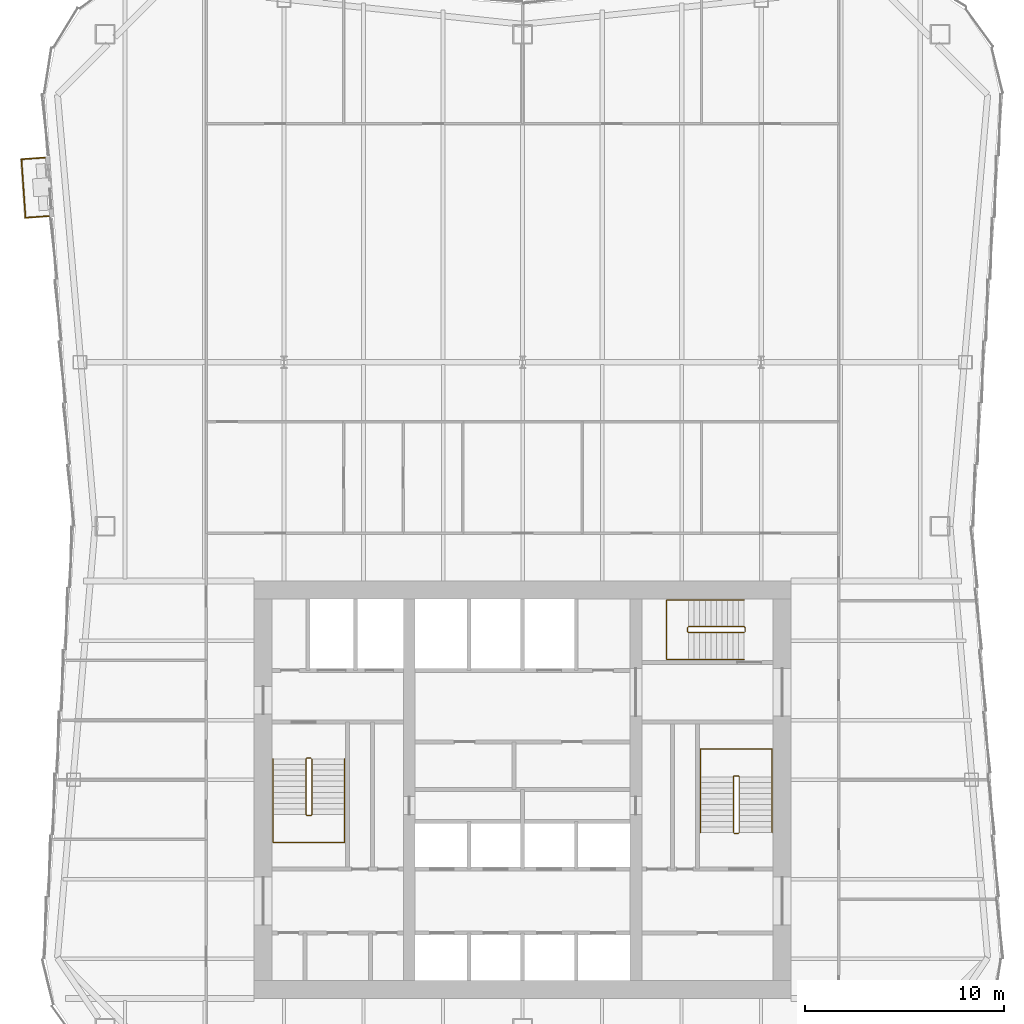
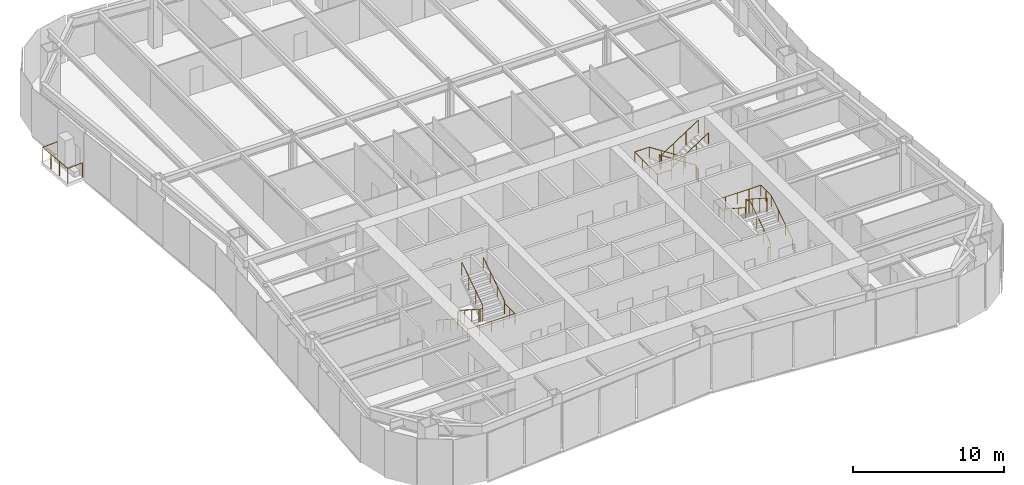
# One storey, part 9 of 10: 7 railings.
"""IFC4 building model written with IfcOpenShell, lengths in metres."""

from ifc_helpers import new_model, si_unit, direction, frame, origin, origin_2d, place, context, subcontext, project, spatial, circle, extrude, material, type_object, element, save


model = new_model("IFC4")

# Units and contexts
model_context = context("Model", 3, precision=1e-05, world=origin(), true_north=direction((0.0, 1.0)))
body_context = subcontext(model_context, "Body", "Model", "MODEL_VIEW")
ifc_project = project(units=[si_unit("LENGTHUNIT", "METRE"), si_unit("AREAUNIT", "SQUARE_METRE"), si_unit("VOLUMEUNIT", "CUBIC_METRE"), si_unit("PLANEANGLEUNIT", "RADIAN"), si_unit("MASSUNIT", "GRAM", prefix="KILO")], contexts=[model_context])

# Site, building, storey
site_placement = place(None, origin())
site = spatial("IfcSite", under=ifc_project, at=site_placement, CompositionType="ELEMENT")
building_placement = place(site_placement, origin())
building = spatial("IfcBuilding", under=site, at=building_placement, Name="Verdant Reach Tower", CompositionType="ELEMENT")
storey_placement = place(building_placement, frame((0.0, 0.0, 202.0)))
storey = spatial("IfcBuildingStorey", under=building, at=storey_placement, Name="L46", CompositionType="ELEMENT", Elevation=202.0)

# Railings
ifc_material_1 = material(Name="Stainless steel", Category="steel")
railing_type_1 = type_object("IfcRailingType", Name="CO-GUARD", PredefinedType="GUARDRAIL", material=ifc_material_1)
railing_1_placement = place(storey_placement, frame((-10.64990234375, 29.60009765625, 0.0)))
element("IfcRailing", 1, at=railing_1_placement, inside=storey, type_object=railing_type_1, Name="L46 ST-1 stair guard 1", PredefinedType="GUARDRAIL", context=body_context, shape_type="SweptSolid", body=[
    extrude(circle(Radius=0.02392578125, at=origin_2d()), frame((0.0, 0.0, 1.076171875), z_axis=(-1.0, 0.0, 0.0), x_axis=(0.0, -1.0, 0.0)), (0.0, 0.0, 1.0), 0.2001953125),
    extrude(circle(Radius=0.02392578125, at=origin_2d()), frame((-0.2001953125, 0.0, 1.076171875), z_axis=(-0.25526617399, -0.256517478764, 0.932222056972), x_axis=(0.708833529934, -0.705375805398, 0.0)), (0.0, 0.0, 1.0), 0.195068359375),
    extrude(circle(Radius=0.02392578125, at=origin_2d()), frame((-0.25, -0.050048828125, 1.2578125), z_axis=(0.0, -0.838705829183, 0.544584733623), x_axis=(1.0, 0.0, 0.0)), (0.0, 0.0, 1.0), 3.338623046875),
    extrude(circle(Radius=0.02392578125, at=origin_2d()), frame((-0.25, -2.85009765625, 3.076171875), z_axis=(0.705375805398, -0.708833529934, 0.0), x_axis=(0.708833529934, 0.705375805398, 0.0)), (0.0, 0.0, 1.0), 0.070556640625),
    extrude(circle(Radius=0.02392578125, at=origin_2d()), frame((-0.2001953125, -2.900146484375, 3.076171875), z_axis=(1.0, 0.0, 0.0), x_axis=(0.0, 1.0, 0.0)), (0.0, 0.0, 1.0), 0.2001953125),
    extrude(circle(Radius=0.02392578125, at=origin_2d()), frame((0.0, -2.900146484375, 3.076171875), z_axis=(0.25526617399, 0.256517478764, 0.932222056972), x_axis=(-0.708833529934, 0.705375805398, 0.0)), (0.0, 0.0, 1.0), 0.195068359375),
    extrude(circle(Radius=0.02392578125, at=origin_2d()), frame((0.0498046875, -2.85009765625, 3.2578125), z_axis=(0.0, 0.838705829183, 0.544584733623), x_axis=(-1.0, 0.0, 0.0)), (0.0, 0.0, 1.0), 3.338623046875),
    extrude(circle(Radius=0.02099609375, at=origin_2d()), origin(), (0.0, 0.0, 1.0), 1.052001953125),
    extrude(circle(Radius=0.02099609375, at=origin_2d()), frame((-0.2001953125, 0.0, 0.0)), (0.0, 0.0, 1.0), 1.052001953125),
    extrude(circle(Radius=0.02099609375, at=origin_2d()), frame((-0.25, -0.050048828125, 0.181884765625)), (0.0, 0.0, 1.0), 1.052001953125),
    extrude(circle(Radius=0.02099609375, at=origin_2d()), frame((-0.25, -0.9833984375, 0.787841796875)), (0.0, 0.0, 1.0), 1.052001953125),
    extrude(circle(Radius=0.02099609375, at=origin_2d()), frame((-0.25, -1.916748046875, 1.39404296875)), (0.0, 0.0, 1.0), 1.052001953125),
    extrude(circle(Radius=0.02099609375, at=origin_2d()), frame((-0.25, -2.85009765625, 2.0)), (0.0, 0.0, 1.0), 1.052001953125),
    extrude(circle(Radius=0.02099609375, at=origin_2d()), frame((-0.2001953125, -2.900146484375, 2.0)), (0.0, 0.0, 1.0), 1.052001953125),
    extrude(circle(Radius=0.02099609375, at=origin_2d()), frame((0.0, -2.900146484375, 2.0)), (0.0, 0.0, 1.0), 1.052001953125),
    extrude(circle(Radius=0.02099609375, at=origin_2d()), frame((0.0498046875, -2.85009765625, 2.181884765625)), (0.0, 0.0, 1.0), 1.052001953125),
    extrude(circle(Radius=0.02099609375, at=origin_2d()), frame((0.0498046875, -1.916748046875, 2.787841796875)), (0.0, 0.0, 1.0), 1.052001953125),
    extrude(circle(Radius=0.02099609375, at=origin_2d()), frame((0.0498046875, -0.9833984375, 3.39404296875)), (0.0, 0.0, 1.0), 1.052001953125),
    extrude(circle(Radius=0.02099609375, at=origin_2d()), frame((0.0498046875, -0.050048828125, 4.0)), (0.0, 0.0, 1.0), 1.052001953125),
])
railing_2_placement = place(storey_placement, frame((10.64990234375, 25.800048828125, 0.0)))
element("IfcRailing", 2, at=railing_2_placement, inside=storey, type_object=railing_type_1, Name="L46 ST-2 stair guard 1", PredefinedType="GUARDRAIL", context=body_context, shape_type="SweptSolid", body=[
    extrude(circle(Radius=0.02392578125, at=origin_2d()), frame((0.0, 0.0, 1.076171875), z_axis=(1.0, 0.0, 0.0), x_axis=(0.0, 1.0, 0.0)), (0.0, 0.0, 1.0), 0.2001953125),
    extrude(circle(Radius=0.02392578125, at=origin_2d()), frame((0.2001953125, 0.0, 1.076171875), z_axis=(0.25526617399, 0.256517478764, 0.932222056972), x_axis=(-0.708833529934, 0.705375805398, 0.0)), (0.0, 0.0, 1.0), 0.195068359375),
    extrude(circle(Radius=0.02392578125, at=origin_2d()), frame((0.25, 0.050048828125, 1.2578125), z_axis=(0.0, 0.83868413941, 0.544618136222), x_axis=(-1.0, 0.0, 0.0)), (0.0, 0.0, 1.0), 3.33837890625),
    extrude(circle(Radius=0.02392578125, at=origin_2d()), frame((0.25, 2.849853515625, 3.076171875), z_axis=(-0.705375805398, 0.708833529934, 0.0), x_axis=(-0.708833529934, -0.705375805398, 0.0)), (0.0, 0.0, 1.0), 0.070556640625),
    extrude(circle(Radius=0.02392578125, at=origin_2d()), frame((0.2001953125, 2.89990234375, 3.076171875), z_axis=(-1.0, 0.0, 0.0), x_axis=(0.0, -1.0, 0.0)), (0.0, 0.0, 1.0), 0.2001953125),
    extrude(circle(Radius=0.02392578125, at=origin_2d()), frame((0.0, 2.89990234375, 3.076171875), z_axis=(-0.25526617399, -0.256517478764, 0.932222056972), x_axis=(0.708833529934, -0.705375805398, 0.0)), (0.0, 0.0, 1.0), 0.195068359375),
    extrude(circle(Radius=0.02392578125, at=origin_2d()), frame((-0.0498046875, 2.849853515625, 3.2578125), z_axis=(0.0, -0.83868413941, 0.544618136222), x_axis=(1.0, 0.0, 0.0)), (0.0, 0.0, 1.0), 3.33837890625),
    extrude(circle(Radius=0.02099609375, at=origin_2d()), origin(), (0.0, 0.0, 1.0), 1.052001953125),
    extrude(circle(Radius=0.02099609375, at=origin_2d()), frame((0.2001953125, 0.0, 0.0)), (0.0, 0.0, 1.0), 1.052001953125),
    extrude(circle(Radius=0.02099609375, at=origin_2d()), frame((0.25, 0.050048828125, 0.181884765625)), (0.0, 0.0, 1.0), 1.052001953125),
    extrude(circle(Radius=0.02099609375, at=origin_2d()), frame((0.25, 0.9833984375, 0.787841796875)), (0.0, 0.0, 1.0), 1.052001953125),
    extrude(circle(Radius=0.02099609375, at=origin_2d()), frame((0.25, 1.91650390625, 1.39404296875)), (0.0, 0.0, 1.0), 1.052001953125),
    extrude(circle(Radius=0.02099609375, at=origin_2d()), frame((0.25, 2.849853515625, 2.0)), (0.0, 0.0, 1.0), 1.052001953125),
    extrude(circle(Radius=0.02099609375, at=origin_2d()), frame((0.2001953125, 2.89990234375, 2.0)), (0.0, 0.0, 1.0), 1.052001953125),
    extrude(circle(Radius=0.02099609375, at=origin_2d()), frame((0.0, 2.89990234375, 2.0)), (0.0, 0.0, 1.0), 1.052001953125),
    extrude(circle(Radius=0.02099609375, at=origin_2d()), frame((-0.0498046875, 2.849853515625, 2.181884765625)), (0.0, 0.0, 1.0), 1.052001953125),
    extrude(circle(Radius=0.02099609375, at=origin_2d()), frame((-0.0498046875, 1.91650390625, 2.787841796875)), (0.0, 0.0, 1.0), 1.052001953125),
    extrude(circle(Radius=0.02099609375, at=origin_2d()), frame((-0.0498046875, 0.9833984375, 3.39404296875)), (0.0, 0.0, 1.0), 1.052001953125),
    extrude(circle(Radius=0.02099609375, at=origin_2d()), frame((-0.0498046875, 0.050048828125, 4.0)), (0.0, 0.0, 1.0), 1.052001953125),
])
railing_3_placement = place(storey_placement, frame((11.199951171875, 35.949951171875, 0.0)))
element("IfcRailing", 3, at=railing_3_placement, inside=storey, type_object=railing_type_1, Name="L46 ST-3 stair guard 1", PredefinedType="GUARDRAIL", context=body_context, shape_type="SweptSolid", body=[
    extrude(circle(Radius=0.02392578125, at=origin_2d()), frame((0.0, 0.0, 1.076171875), z_axis=(0.0, 1.0, 0.0), x_axis=(-1.0, 0.0, 0.0)), (0.0, 0.0, 1.0), 0.199951171875),
    extrude(circle(Radius=0.02392578125, at=origin_2d()), frame((0.0, 0.199951171875, 1.076171875), z_axis=(-0.256435381639, 0.256435381639, 0.931923704005), x_axis=(-0.707106781187, -0.707106781187, 0.0)), (0.0, 0.0, 1.0), 0.195068359375),
    extrude(circle(Radius=0.02392578125, at=origin_2d()), frame((-0.050048828125, 0.25, 1.2578125), z_axis=(-0.83868413941, 0.0, 0.544618136222), x_axis=(0.0, -1.0, 0.0)), (0.0, 0.0, 1.0), 3.33837890625),
    extrude(circle(Radius=0.02392578125, at=origin_2d()), frame((-2.849853515625, 0.25, 3.076171875), z_axis=(-0.707106781187, -0.707106781187, 0.0), x_axis=(0.707106781187, -0.707106781187, 0.0)), (0.0, 0.0, 1.0), 0.07080078125),
    extrude(circle(Radius=0.02392578125, at=origin_2d()), frame((-2.89990234375, 0.199951171875, 3.076171875), z_axis=(0.0, -1.0, 0.0), x_axis=(1.0, 0.0, 0.0)), (0.0, 0.0, 1.0), 0.199951171875),
    extrude(circle(Radius=0.02392578125, at=origin_2d()), frame((-2.89990234375, 0.0, 3.076171875), z_axis=(0.256435381639, -0.256435381639, 0.931923704005), x_axis=(0.707106781187, 0.707106781187, 0.0)), (0.0, 0.0, 1.0), 0.195068359375),
    extrude(circle(Radius=0.02392578125, at=origin_2d()), frame((-2.849853515625, -0.050048828125, 3.2578125), z_axis=(0.83868413941, 0.0, 0.544618136222), x_axis=(0.0, 1.0, 0.0)), (0.0, 0.0, 1.0), 3.33837890625),
    extrude(circle(Radius=0.02099609375, at=origin_2d()), origin(), (0.0, 0.0, 1.0), 1.052001953125),
    extrude(circle(Radius=0.02099609375, at=origin_2d()), frame((0.0, 0.199951171875, 0.0)), (0.0, 0.0, 1.0), 1.052001953125),
    extrude(circle(Radius=0.02099609375, at=origin_2d()), frame((-0.050048828125, 0.25, 0.181884765625)), (0.0, 0.0, 1.0), 1.052001953125),
    extrude(circle(Radius=0.02099609375, at=origin_2d()), frame((-0.9833984375, 0.25, 0.787841796875)), (0.0, 0.0, 1.0), 1.052001953125),
    extrude(circle(Radius=0.02099609375, at=origin_2d()), frame((-1.91650390625, 0.25, 1.39404296875)), (0.0, 0.0, 1.0), 1.052001953125),
    extrude(circle(Radius=0.02099609375, at=origin_2d()), frame((-2.849853515625, 0.25, 2.0)), (0.0, 0.0, 1.0), 1.052001953125),
    extrude(circle(Radius=0.02099609375, at=origin_2d()), frame((-2.89990234375, 0.199951171875, 2.0)), (0.0, 0.0, 1.0), 1.052001953125),
    extrude(circle(Radius=0.02099609375, at=origin_2d()), frame((-2.89990234375, 0.0, 2.0)), (0.0, 0.0, 1.0), 1.052001953125),
    extrude(circle(Radius=0.02099609375, at=origin_2d()), frame((-2.849853515625, -0.050048828125, 2.181884765625)), (0.0, 0.0, 1.0), 1.052001953125),
    extrude(circle(Radius=0.02099609375, at=origin_2d()), frame((-1.91650390625, -0.050048828125, 2.787841796875)), (0.0, 0.0, 1.0), 1.052001953125),
    extrude(circle(Radius=0.02099609375, at=origin_2d()), frame((-0.9833984375, -0.050048828125, 3.39404296875)), (0.0, 0.0, 1.0), 1.052001953125),
    extrude(circle(Radius=0.02099609375, at=origin_2d()), frame((-0.050048828125, -0.050048828125, 4.0)), (0.0, 0.0, 1.0), 1.052001953125),
])
railing_type_2 = type_object("IfcRailingType", Name="CO-HANDRAIL", PredefinedType="HANDRAIL", material=ifc_material_1)
railing_4_placement = place(storey_placement, frame((-12.550048828125, 29.550048828125, 0.181884765625)))
element("IfcRailing", 4, at=railing_4_placement, inside=storey, type_object=railing_type_2, Name="L46 ST-1 stair handrail 1", PredefinedType="HANDRAIL", context=body_context, shape_type="SweptSolid", body=[
    extrude(circle(Radius=0.02392578125, at=origin_2d()), frame((0.0, 0.0, 0.8759765625), z_axis=(0.0, -0.838705829183, 0.544584733623), x_axis=(1.0, 0.0, 0.0)), (0.0, 0.0, 1.0), 3.338623046875),
    extrude(circle(Radius=0.02392578125, at=origin_2d()), frame((0.0, -2.800048828125, 2.69384765625), z_axis=(0.0, -1.0, 0.0), x_axis=(1.0, 0.0, 0.0)), (0.0, 0.0, 1.0), 1.39990234375),
    extrude(circle(Radius=0.02392578125, at=origin_2d()), frame((0.0, -4.199951171875, 2.69384765625), z_axis=(1.0, 0.0, 0.0), x_axis=(0.0, 1.0, 0.0)), (0.0, 0.0, 1.0), 3.60009765625),
    extrude(circle(Radius=0.02392578125, at=origin_2d()), frame((3.60009765625, -4.199951171875, 2.69384765625), z_axis=(0.0, 1.0, 0.0), x_axis=(-1.0, 0.0, 0.0)), (0.0, 0.0, 1.0), 1.39990234375),
    extrude(circle(Radius=0.02392578125, at=origin_2d()), frame((3.60009765625, -2.800048828125, 2.69384765625), z_axis=(0.0, 0.0, 1.0), x_axis=(1.0, 0.0, 0.0)), (0.0, 0.0, 1.0), 0.181884765625),
    extrude(circle(Radius=0.02392578125, at=origin_2d()), frame((3.60009765625, -2.800048828125, 2.8759765625), z_axis=(0.0, 0.838705829183, 0.544584733623), x_axis=(-1.0, 0.0, 0.0)), (0.0, 0.0, 1.0), 3.338623046875),
    extrude(circle(Radius=0.02099609375, at=origin_2d()), origin(), (0.0, 0.0, 1.0), 0.851806640625),
    extrude(circle(Radius=0.02099609375, at=origin_2d()), frame((0.0, -0.933349609375, 0.60595703125)), (0.0, 0.0, 1.0), 0.851806640625),
    extrude(circle(Radius=0.02099609375, at=origin_2d()), frame((0.0, -1.86669921875, 1.212158203125)), (0.0, 0.0, 1.0), 0.851806640625),
    extrude(circle(Radius=0.02099609375, at=origin_2d()), frame((0.0, -2.800048828125, 1.818115234375)), (0.0, 0.0, 1.0), 0.851806640625),
    extrude(circle(Radius=0.02099609375, at=origin_2d()), frame((0.0, -3.5, 1.818115234375)), (0.0, 0.0, 1.0), 0.851806640625),
    extrude(circle(Radius=0.02099609375, at=origin_2d()), frame((0.0, -4.199951171875, 1.818115234375)), (0.0, 0.0, 1.0), 0.851806640625),
    extrude(circle(Radius=0.02099609375, at=origin_2d()), frame((0.89990234375, -4.199951171875, 1.818115234375)), (0.0, 0.0, 1.0), 0.851806640625),
    extrude(circle(Radius=0.02099609375, at=origin_2d()), frame((1.800048828125, -4.199951171875, 1.818115234375)), (0.0, 0.0, 1.0), 0.851806640625),
    extrude(circle(Radius=0.02099609375, at=origin_2d()), frame((2.7001953125, -4.199951171875, 1.818115234375)), (0.0, 0.0, 1.0), 0.851806640625),
    extrude(circle(Radius=0.02099609375, at=origin_2d()), frame((3.60009765625, -4.199951171875, 1.818115234375)), (0.0, 0.0, 1.0), 0.851806640625),
    extrude(circle(Radius=0.02099609375, at=origin_2d()), frame((3.60009765625, -3.5, 1.818115234375)), (0.0, 0.0, 1.0), 0.851806640625),
    extrude(circle(Radius=0.02099609375, at=origin_2d()), frame((3.60009765625, -2.800048828125, 1.818115234375)), (0.0, 0.0, 1.0), 0.851806640625),
    extrude(circle(Radius=0.02099609375, at=origin_2d()), frame((3.60009765625, -2.800048828125, 2.0)), (0.0, 0.0, 1.0), 0.851806640625),
    extrude(circle(Radius=0.02099609375, at=origin_2d()), frame((3.60009765625, -1.86669921875, 2.60595703125)), (0.0, 0.0, 1.0), 0.851806640625),
    extrude(circle(Radius=0.02099609375, at=origin_2d()), frame((3.60009765625, -0.933349609375, 3.212158203125)), (0.0, 0.0, 1.0), 0.851806640625),
    extrude(circle(Radius=0.02099609375, at=origin_2d()), frame((3.60009765625, 0.0, 3.818115234375)), (0.0, 0.0, 1.0), 0.851806640625),
])
railing_5_placement = place(storey_placement, frame((12.550048828125, 25.85009765625, 0.181884765625)))
element("IfcRailing", 5, at=railing_5_placement, inside=storey, type_object=railing_type_2, Name="L46 ST-2 stair handrail 1", PredefinedType="HANDRAIL", context=body_context, shape_type="SweptSolid", body=[
    extrude(circle(Radius=0.02392578125, at=origin_2d()), frame((0.0, 0.0, 0.8759765625), z_axis=(0.0, 0.83868413941, 0.544618136222), x_axis=(-1.0, 0.0, 0.0)), (0.0, 0.0, 1.0), 3.33837890625),
    extrude(circle(Radius=0.02392578125, at=origin_2d()), frame((0.0, 2.7998046875, 2.69384765625), z_axis=(0.0, 1.0, 0.0), x_axis=(-1.0, 0.0, 0.0)), (0.0, 0.0, 1.0), 1.400146484375),
    extrude(circle(Radius=0.02392578125, at=origin_2d()), frame((0.0, 4.199951171875, 2.69384765625), z_axis=(-1.0, 0.0, 0.0), x_axis=(0.0, -1.0, 0.0)), (0.0, 0.0, 1.0), 3.60009765625),
    extrude(circle(Radius=0.02392578125, at=origin_2d()), frame((-3.60009765625, 4.199951171875, 2.69384765625), z_axis=(0.0, -1.0, 0.0), x_axis=(1.0, 0.0, 0.0)), (0.0, 0.0, 1.0), 1.400146484375),
    extrude(circle(Radius=0.02392578125, at=origin_2d()), frame((-3.60009765625, 2.7998046875, 2.69384765625), z_axis=(0.0, 0.0, 1.0), x_axis=(1.0, 0.0, 0.0)), (0.0, 0.0, 1.0), 0.181884765625),
    extrude(circle(Radius=0.02392578125, at=origin_2d()), frame((-3.60009765625, 2.7998046875, 2.8759765625), z_axis=(0.0, -0.83868413941, 0.544618136222), x_axis=(1.0, 0.0, 0.0)), (0.0, 0.0, 1.0), 3.33837890625),
    extrude(circle(Radius=0.02099609375, at=origin_2d()), origin(), (0.0, 0.0, 1.0), 0.851806640625),
    extrude(circle(Radius=0.02099609375, at=origin_2d()), frame((0.0, 0.933349609375, 0.60595703125)), (0.0, 0.0, 1.0), 0.851806640625),
    extrude(circle(Radius=0.02099609375, at=origin_2d()), frame((0.0, 1.866455078125, 1.212158203125)), (0.0, 0.0, 1.0), 0.851806640625),
    extrude(circle(Radius=0.02099609375, at=origin_2d()), frame((0.0, 2.7998046875, 1.818115234375)), (0.0, 0.0, 1.0), 0.851806640625),
    extrude(circle(Radius=0.02099609375, at=origin_2d()), frame((0.0, 3.5, 1.818115234375)), (0.0, 0.0, 1.0), 0.851806640625),
    extrude(circle(Radius=0.02099609375, at=origin_2d()), frame((0.0, 4.199951171875, 1.818115234375)), (0.0, 0.0, 1.0), 0.851806640625),
    extrude(circle(Radius=0.02099609375, at=origin_2d()), frame((-0.89990234375, 4.199951171875, 1.818115234375)), (0.0, 0.0, 1.0), 0.851806640625),
    extrude(circle(Radius=0.02099609375, at=origin_2d()), frame((-1.800048828125, 4.199951171875, 1.818115234375)), (0.0, 0.0, 1.0), 0.851806640625),
    extrude(circle(Radius=0.02099609375, at=origin_2d()), frame((-2.7001953125, 4.199951171875, 1.818115234375)), (0.0, 0.0, 1.0), 0.851806640625),
    extrude(circle(Radius=0.02099609375, at=origin_2d()), frame((-3.60009765625, 4.199951171875, 1.818115234375)), (0.0, 0.0, 1.0), 0.851806640625),
    extrude(circle(Radius=0.02099609375, at=origin_2d()), frame((-3.60009765625, 3.5, 1.818115234375)), (0.0, 0.0, 1.0), 0.851806640625),
    extrude(circle(Radius=0.02099609375, at=origin_2d()), frame((-3.60009765625, 2.7998046875, 1.818115234375)), (0.0, 0.0, 1.0), 0.851806640625),
    extrude(circle(Radius=0.02099609375, at=origin_2d()), frame((-3.60009765625, 2.7998046875, 2.0)), (0.0, 0.0, 1.0), 0.851806640625),
    extrude(circle(Radius=0.02099609375, at=origin_2d()), frame((-3.60009765625, 1.866455078125, 2.60595703125)), (0.0, 0.0, 1.0), 0.851806640625),
    extrude(circle(Radius=0.02099609375, at=origin_2d()), frame((-3.60009765625, 0.933349609375, 3.212158203125)), (0.0, 0.0, 1.0), 0.851806640625),
    extrude(circle(Radius=0.02099609375, at=origin_2d()), frame((-3.60009765625, 0.0, 3.818115234375)), (0.0, 0.0, 1.0), 0.851806640625),
])
railing_6_placement = place(storey_placement, frame((11.14990234375, 37.550048828125, 0.181884765625)))
element("IfcRailing", 6, at=railing_6_placement, inside=storey, type_object=railing_type_2, Name="L46 ST-3 stair handrail 1", PredefinedType="HANDRAIL", context=body_context, shape_type="SweptSolid", body=[
    extrude(circle(Radius=0.02392578125, at=origin_2d()), frame((0.0, 0.0, 0.8759765625), z_axis=(-0.83868413941, 0.0, 0.544618136222), x_axis=(0.0, -1.0, 0.0)), (0.0, 0.0, 1.0), 3.33837890625),
    extrude(circle(Radius=0.02392578125, at=origin_2d()), frame((-2.7998046875, 0.0, 2.69384765625), z_axis=(-1.0, 0.0, 0.0), x_axis=(0.0, -1.0, 0.0)), (0.0, 0.0, 1.0), 1.10009765625),
    extrude(circle(Radius=0.02392578125, at=origin_2d()), frame((-3.89990234375, 0.0, 2.69384765625), z_axis=(0.0, -1.0, 0.0), x_axis=(1.0, 0.0, 0.0)), (0.0, 0.0, 1.0), 3.0),
    extrude(circle(Radius=0.02392578125, at=origin_2d()), frame((-3.89990234375, -3.0, 2.69384765625), z_axis=(1.0, 0.0, 0.0), x_axis=(0.0, 1.0, 0.0)), (0.0, 0.0, 1.0), 1.10009765625),
    extrude(circle(Radius=0.02392578125, at=origin_2d()), frame((-2.7998046875, -3.0, 2.69384765625), z_axis=(0.0, 0.0, 1.0), x_axis=(1.0, 0.0, 0.0)), (0.0, 0.0, 1.0), 0.181884765625),
    extrude(circle(Radius=0.02392578125, at=origin_2d()), frame((-2.7998046875, -3.0, 2.8759765625), z_axis=(0.83868413941, 0.0, 0.544618136222), x_axis=(0.0, 1.0, 0.0)), (0.0, 0.0, 1.0), 3.33837890625),
    extrude(circle(Radius=0.02099609375, at=origin_2d()), origin(), (0.0, 0.0, 1.0), 0.851806640625),
    extrude(circle(Radius=0.02099609375, at=origin_2d()), frame((-0.933349609375, 0.0, 0.60595703125)), (0.0, 0.0, 1.0), 0.851806640625),
    extrude(circle(Radius=0.02099609375, at=origin_2d()), frame((-1.866455078125, 0.0, 1.212158203125)), (0.0, 0.0, 1.0), 0.851806640625),
    extrude(circle(Radius=0.02099609375, at=origin_2d()), frame((-2.7998046875, 0.0, 1.818115234375)), (0.0, 0.0, 1.0), 0.851806640625),
    extrude(circle(Radius=0.02099609375, at=origin_2d()), frame((-3.89990234375, 0.0, 1.818115234375)), (0.0, 0.0, 1.0), 0.851806640625),
    extrude(circle(Radius=0.02099609375, at=origin_2d()), frame((-3.89990234375, -1.0, 1.818115234375)), (0.0, 0.0, 1.0), 0.851806640625),
    extrude(circle(Radius=0.02099609375, at=origin_2d()), frame((-3.89990234375, -2.0, 1.818115234375)), (0.0, 0.0, 1.0), 0.851806640625),
    extrude(circle(Radius=0.02099609375, at=origin_2d()), frame((-3.89990234375, -3.0, 1.818115234375)), (0.0, 0.0, 1.0), 0.851806640625),
    extrude(circle(Radius=0.02099609375, at=origin_2d()), frame((-2.7998046875, -3.0, 1.818115234375)), (0.0, 0.0, 1.0), 0.851806640625),
    extrude(circle(Radius=0.02099609375, at=origin_2d()), frame((-2.7998046875, -3.0, 2.0)), (0.0, 0.0, 1.0), 0.851806640625),
    extrude(circle(Radius=0.02099609375, at=origin_2d()), frame((-1.866455078125, -3.0, 2.60595703125)), (0.0, 0.0, 1.0), 0.851806640625),
    extrude(circle(Radius=0.02099609375, at=origin_2d()), frame((-0.933349609375, -3.0, 3.212158203125)), (0.0, 0.0, 1.0), 0.851806640625),
    extrude(circle(Radius=0.02099609375, at=origin_2d()), frame((0.0, -3.0, 3.818115234375)), (0.0, 0.0, 1.0), 0.851806640625),
])
ifc_material_2 = material(Name="Stainless steel and laminated glass balustrade", Category="steel")
railing_type_3 = type_object("IfcRailingType", Name="EN-RAILING BALCONY", PredefinedType="GUARDRAIL", material=ifc_material_2)
railing_7_placement = place(storey_placement, frame((-24.02734375, 59.79296875, 0.0)))
element("IfcRailing", 7, at=railing_7_placement, inside=storey, type_object=railing_type_3, Name="Balcony guard 1, L46", PredefinedType="GUARDRAIL", context=body_context, shape_type="SweptSolid", body=[
    extrude(circle(Radius=0.02490234375, at=origin_2d()), frame((0.0, 0.0, 1.1748046875), z_axis=(-0.997631794817, -0.068780825605, 0.0), x_axis=(0.068780825605, -0.997631794817, 0.0)), (0.0, 0.0, 1.0), 1.181884765625),
    extrude(circle(Radius=0.02490234375, at=origin_2d()), frame((-1.17919921875, -0.081298828125, 1.1748046875), z_axis=(0.068804933195, -0.997630132448, 0.0), x_axis=(0.997630132448, 0.068804933195, 0.0)), (0.0, 0.0, 1.0), 2.94873046875),
    extrude(circle(Radius=0.02490234375, at=origin_2d()), frame((-0.976318359375, -3.02294921875, 1.1748046875), z_axis=(0.99761760087, 0.068986393104, 0.0), x_axis=(-0.068986393104, 0.99761760087, 0.0)), (0.0, 0.0, 1.0), 1.18212890625),
    extrude(circle(Radius=0.02490234375, at=origin_2d()), origin(), (0.0, 0.0, 1.0), 1.14990234375),
    extrude(circle(Radius=0.02490234375, at=origin_2d()), frame((-1.17919921875, -0.081298828125, 0.0)), (0.0, 0.0, 1.0), 1.14990234375),
    extrude(circle(Radius=0.02490234375, at=origin_2d()), frame((-1.111572265625, -1.061767578125, 0.0)), (0.0, 0.0, 1.0), 1.14990234375),
    extrude(circle(Radius=0.02490234375, at=origin_2d()), frame((-1.0439453125, -2.04248046875, 0.0)), (0.0, 0.0, 1.0), 1.14990234375),
    extrude(circle(Radius=0.02490234375, at=origin_2d()), frame((-0.976318359375, -3.02294921875, 0.0)), (0.0, 0.0, 1.0), 1.14990234375),
    extrude(circle(Radius=0.02490234375, at=origin_2d()), frame((0.202880859375, -2.94140625, 0.0)), (0.0, 0.0, 1.0), 1.14990234375),
])

save(model, "model.ifc")
